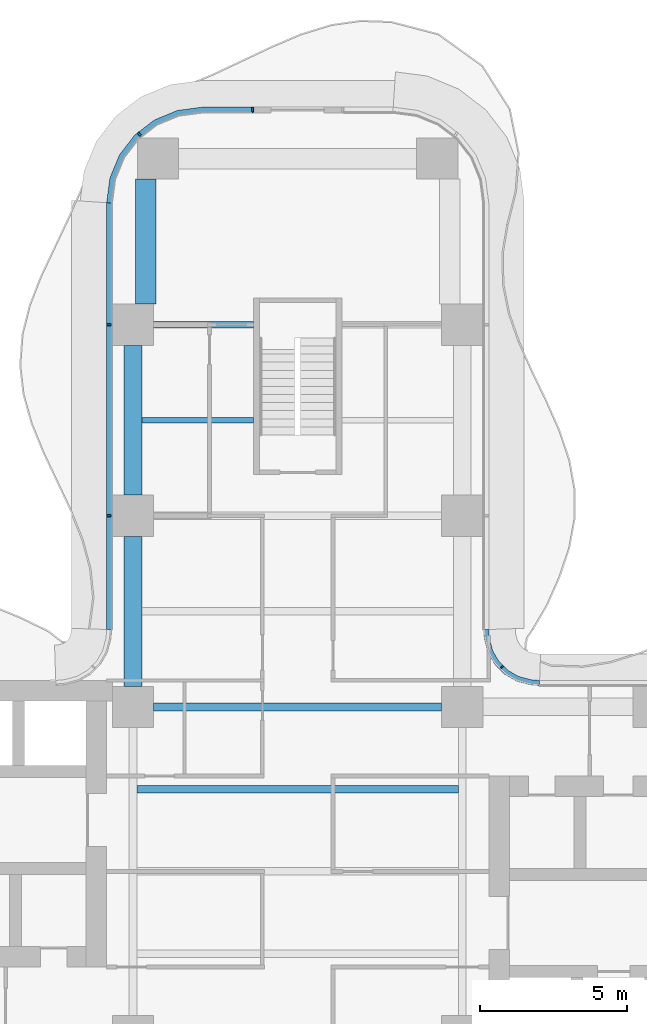
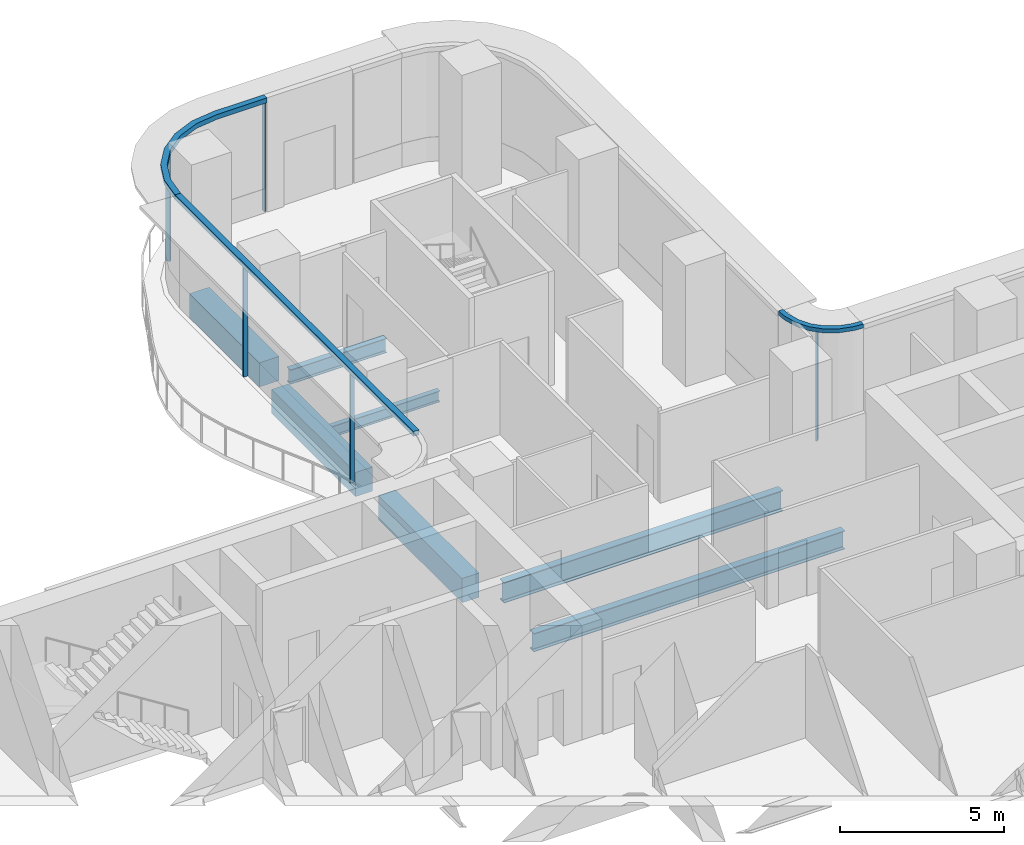
# One storey, part 9 of 22: 8 members, 7 beams, 3 elements without a shape of their own.
"""IFC4 building model written with IfcOpenShell, lengths in metres."""

from ifc_helpers import new_model, si_unit, direction, frame, origin, origin_2d, place, context, subcontext, project, spatial, polyline, rectangle, i_section, outline, extrude, source, transform, mapped, material, layer, layer_set, material_profile, profile_set, type_object, element, aggregate, save


model = new_model("IFC4")

# Units and contexts
model_context = context("Model", 3, precision=1e-05, world=origin(), true_north=direction((0.0, 1.0)))
body_context = subcontext(model_context, "Body", "Model", "MODEL_VIEW")
ifc_project = project(units=[si_unit("LENGTHUNIT", "METRE"), si_unit("AREAUNIT", "SQUARE_METRE"), si_unit("VOLUMEUNIT", "CUBIC_METRE"), si_unit("PLANEANGLEUNIT", "RADIAN"), si_unit("MASSUNIT", "GRAM", prefix="KILO")], contexts=[model_context])

# Site, building, storey
site_placement = place(None, origin())
site = spatial("IfcSite", under=ifc_project, at=site_placement, CompositionType="ELEMENT")
building_placement = place(site_placement, origin())
building = spatial("IfcBuilding", under=site, at=building_placement, Name="Trellis Farm Tower", CompositionType="ELEMENT")
storey_placement = place(building_placement, frame((0.0, 0.0, 70.0)))
storey = spatial("IfcBuildingStorey", under=building, at=storey_placement, Name="L14", CompositionType="ELEMENT", Elevation=70.0)

# Beams
ifc_material_1 = material(Name="Steel S355", Category="steel")
ifc_material_profile_1 = material_profile(ifc_material_1, i_section(OverallWidth=0.253662109375, OverallDepth=0.68359375, WebThickness=0.012451171875, FlangeThickness=0.021728515625, FilletRadius=0.01513671875, at=origin_2d()), Name="UB 686x254x140")
ifc_profile_set_1 = profile_set([ifc_material_profile_1], Name="Steel S355")
beam_type_1 = type_object("IfcBeamType", Name="UB 686x254x140 joist", PredefinedType="JOIST", material=ifc_profile_set_1)
shared_shape_1 = source(origin(), body_context, "Body", "SweptSolid", [
    extrude(i_section(OverallWidth=0.253662109375, OverallDepth=0.68359375, WebThickness=0.012451171875, FlangeThickness=0.021728515625, FilletRadius=0.01513671875, at=origin_2d()), origin(), (0.0, 0.0, 1.0), 10.93310546875),
])
beam_1_placement = place(storey_placement, frame((-5.466552734375, 2.800048828125, -0.591796875), z_axis=(1.0, 0.0, 0.0), x_axis=(0.0, 1.0, 0.0)))
element("IfcBeam", 1, at=beam_1_placement, inside=storey, type_object=beam_type_1, Name="Floor beam", PredefinedType="JOIST", context=body_context, shape_type="MappedRepresentation", body=[
    mapped(shared_shape_1, transform((0.0, 0.0, 0.0))),
])
ifc_material_profile_2 = material_profile(ifc_material_1, i_section(OverallWidth=0.209228515625, OverallDepth=0.533203125, WebThickness=0.010009765625, FlangeThickness=0.015625, FilletRadius=0.0126953125, at=origin_2d()), Name="UB 533x210x92")
ifc_profile_set_2 = profile_set([ifc_material_profile_2], Name="Steel S355")
beam_type_2 = type_object("IfcBeamType", Name="UB 533x210x92", PredefinedType="BEAM", material=ifc_profile_set_2)
shared_shape_2 = source(origin(), body_context, "Body", "SweptSolid", [
    extrude(i_section(OverallWidth=0.209228515625, OverallDepth=0.533203125, WebThickness=0.010009765625, FlangeThickness=0.015625, FilletRadius=0.0126953125, at=origin_2d()), origin(), (0.0, 0.0, 1.0), 3.39990234375),
])
beam_2_placement = place(storey_placement, frame((-4.89990234375, 18.60009765625, -0.5166015625), z_axis=(1.0, 0.0, 0.0), x_axis=(0.0, 1.0, 0.0)))
element("IfcBeam", 2, at=beam_2_placement, inside=storey, type_object=beam_type_2, Name="Girder", PredefinedType="BEAM", context=body_context, shape_type="MappedRepresentation", body=[
    mapped(shared_shape_2, transform((0.0, 0.0, 0.0))),
])
ifc_material_2 = material(Name="Concrete C60/75", Category="concrete")
ifc_material_profile_3 = material_profile(ifc_material_2, rectangle(XDim=0.60009765625, YDim=0.89990234375, at=origin_2d()), Name="RC spandrel beam 600x900 C60/75")
ifc_profile_set_3 = profile_set([ifc_material_profile_3], Name="Concrete C60/75")
beam_type_3 = type_object("IfcBeamType", Name="RC spandrel beam 600x900 C60/75", PredefinedType="SPANDREL", material=ifc_profile_set_3)
shared_shape_3 = source(origin(), body_context, "Body", "SweptSolid", [
    extrude(rectangle(XDim=0.60009765625, YDim=0.89990234375, at=origin_2d()), origin(), (0.0, 0.0, 1.0), 5.099853515625),
])
for number, where, z_axis, x_axis, name in (
    (3, (-5.60009765625, 6.300048828125, -0.699951171875), (0.0, 1.0, 0.0), (-1.0, 0.0, 0.0), "Girder"),
    (4, (-5.60009765625, 12.800048828125, -0.699951171875), (0.0, 1.0, 0.0), (-1.0, 0.0, 0.0), "Girder"),
):
    element("IfcBeam", number, at=place(storey_placement, frame(where, z_axis=z_axis, x_axis=x_axis)), inside=storey, type_object=beam_type_3, Name=name, PredefinedType="SPANDREL", context=body_context, shape_type="MappedRepresentation", body=[
        mapped(shared_shape_3, transform((0.0, 0.0, 0.0))),
    ])
ifc_material_profile_4 = material_profile(ifc_material_1, i_section(OverallWidth=0.2666015625, OverallDepth=0.76220703125, WebThickness=0.014404296875, FlangeThickness=0.021484375, FilletRadius=0.0166015625, at=origin_2d()), Name="UB 762x267x173")
ifc_profile_set_4 = profile_set([ifc_material_profile_4], Name="Steel S355")
beam_type_4 = type_object("IfcBeamType", Name="UB 762x267x173", PredefinedType="BEAM", material=ifc_profile_set_4)
shared_shape_4 = source(origin(), body_context, "Body", "SweptSolid", [
    extrude(i_section(OverallWidth=0.2666015625, OverallDepth=0.76220703125, WebThickness=0.014404296875, FlangeThickness=0.021484375, FilletRadius=0.0166015625, at=origin_2d()), origin(), (0.0, 0.0, 1.0), 9.7998046875),
])
beam_3_placement = place(storey_placement, frame((-4.89990234375, 5.60009765625, -0.631103515625), z_axis=(1.0, 0.0, 0.0), x_axis=(0.0, 1.0, 0.0)))
element("IfcBeam", 5, at=beam_3_placement, inside=storey, type_object=beam_type_4, Name="Girder", PredefinedType="BEAM", context=body_context, shape_type="MappedRepresentation", body=[
    mapped(shared_shape_4, transform((0.0, 0.0, 0.0))),
])
ifc_material_profile_5 = material_profile(ifc_material_2, rectangle(XDim=0.699951171875, YDim=0.89990234375, at=origin_2d()), Name="RC spandrel beam 700x900 C60/75")
ifc_profile_set_5 = profile_set([ifc_material_profile_5], Name="Concrete C60/75")
beam_type_5 = type_object("IfcBeamType", Name="RC spandrel beam 700x900 C60/75", PredefinedType="SPANDREL", material=ifc_profile_set_5)
shared_shape_5 = source(origin(), body_context, "Body", "SweptSolid", [
    extrude(rectangle(XDim=0.699951171875, YDim=0.89990234375, at=origin_2d()), origin(), (0.0, 0.0, 1.0), 4.25),
])
beam_4_placement = place(storey_placement, frame((-5.175048828125, 19.300048828125, -0.699951171875), z_axis=(0.0, 1.0, 0.0), x_axis=(-1.0, 0.0, 0.0)))
element("IfcBeam", 6, at=beam_4_placement, inside=storey, type_object=beam_type_5, Name="Girder", PredefinedType="SPANDREL", context=body_context, shape_type="MappedRepresentation", body=[
    mapped(shared_shape_5, transform((0.0, 0.0, 0.0))),
])
ifc_material_profile_6 = material_profile(ifc_material_1, i_section(OverallWidth=0.177978515625, OverallDepth=0.406494140625, WebThickness=0.0078125, FlangeThickness=0.0126953125, FilletRadius=0.01025390625, at=origin_2d()), Name="UB 406x178x60")
ifc_profile_set_6 = profile_set([ifc_material_profile_6], Name="Steel S355")
beam_type_6 = type_object("IfcBeamType", Name="UB 406x178x60 joist", PredefinedType="JOIST", material=ifc_profile_set_6)
shared_shape_6 = source(origin(), body_context, "Body", "SweptSolid", [
    extrude(i_section(OverallWidth=0.177978515625, OverallDepth=0.406494140625, WebThickness=0.0078125, FlangeThickness=0.0126953125, FilletRadius=0.01025390625, at=origin_2d()), origin(), (0.0, 0.0, 1.0), 3.800048828125),
])
beam_5_placement = place(storey_placement, frame((-5.300048828125, 15.35009765625, -0.453125), z_axis=(1.0, 0.0, 0.0), x_axis=(0.0, 1.0, 0.0)))
element("IfcBeam", 7, at=beam_5_placement, inside=storey, type_object=beam_type_6, Name="Floor beam", PredefinedType="JOIST", context=body_context, shape_type="MappedRepresentation", body=[
    mapped(shared_shape_6, transform((0.0, 0.0, 0.0))),
])

# Curtain wall, members
ifc_material_3 = material(Name="Aluminium and glass curtain wall", Category="aluminium")
ifc_layer_1 = layer(ifc_material_3, 0.18994140625)
ifc_layer_set_1 = layer_set([ifc_layer_1], Name="RIBBON CURTAIN WALL CW1")
curtain_wall_type_1 = type_object("IfcCurtainWallType", Name="RIBBON CURTAIN WALL CW1", PredefinedType="NOTDEFINED", material=ifc_layer_set_1)
placement_1 = place(storey_placement, origin())
curtain_wall_1 = element("IfcCurtainWall", 8, at=placement_1, inside=storey, type_object=curtain_wall_type_1, Name="CW1 011", PredefinedType="NOTDEFINED")
ifc_material_4 = material(Name="Aluminium extrusion 6063-T6", Category="aluminium")
ifc_material_profile_7 = material_profile(ifc_material_4, rectangle(XDim=0.06005859375, YDim=0.14990234375, at=origin_2d()), Name="MULLION 60x150")
ifc_profile_set_7 = profile_set([ifc_material_profile_7], Name="Aluminium extrusion 6063-T6")
member_type_1 = type_object("IfcMemberType", Name="CW1 MULLION 60x150", PredefinedType="MULLION", material=ifc_profile_set_7)
shared_shape_7 = source(origin(), body_context, "Body", "SweptSolid", [
    extrude(rectangle(XDim=0.06005859375, YDim=0.14990234375, at=origin_2d()), origin(), (0.0, 0.0, 1.0), 4.070068359375),
])
member_1_placement = place(storey_placement, frame((-1.530029296875, 25.925048828125, 0.0), z_axis=(0.0, 0.0, 1.0), x_axis=(-1.0, 0.0, 0.0)))
member_1 = element("IfcMember", 9, at=member_1_placement, type_object=member_type_1, Name="MU1 011-01", PredefinedType="MULLION", context=body_context, shape_type="MappedRepresentation", body=[
    mapped(shared_shape_7, transform((0.0, 0.0, 0.0))),
])
member_2_placement = place(storey_placement, frame((-5.385498046875, 25.078369140625, 0.0), z_axis=(0.0, 0.0, 1.0), x_axis=(-0.793353340291, -0.608761429009, 0.0)))
member_2 = element("IfcMember", 10, at=member_2_placement, type_object=member_type_1, Name="MU1 011-02", PredefinedType="MULLION", context=body_context, shape_type="MappedRepresentation", body=[
    mapped(shared_shape_7, transform((0.0, 0.0, 0.0))),
])

curtain_wall_2 = element("IfcCurtainWall", 11, at=placement_1, inside=storey, type_object=curtain_wall_type_1, Name="CW1 012", PredefinedType="NOTDEFINED")
member_3_placement = place(storey_placement, frame((-6.425048828125, 18.60009765625, 0.0), z_axis=(0.0, 0.0, 1.0), x_axis=(0.0, -1.0, 0.0)))
member_3 = element("IfcMember", 12, at=member_3_placement, type_object=member_type_1, Name="MU1 012-01", PredefinedType="MULLION", context=body_context, shape_type="MappedRepresentation", body=[
    mapped(shared_shape_7, transform((0.0, 0.0, 0.0))),
])
member_4_placement = place(storey_placement, frame((-6.425048828125, 12.10009765625, 0.0), z_axis=(0.0, 0.0, 1.0), x_axis=(0.0, -1.0, 0.0)))
member_4 = element("IfcMember", 13, at=member_4_placement, type_object=member_type_1, Name="MU1 012-02", PredefinedType="MULLION", context=body_context, shape_type="MappedRepresentation", body=[
    mapped(shared_shape_7, transform((0.0, 0.0, 0.0))),
])

ifc_layer_2 = layer(ifc_material_3, 0.166015625)
ifc_layer_set_2 = layer_set([ifc_layer_2], Name="WINTER GARDEN CURTAIN WALL CW3")
curtain_wall_type_2 = type_object("IfcCurtainWallType", Name="WINTER GARDEN CURTAIN WALL CW3", PredefinedType="NOTDEFINED", material=ifc_layer_set_2)
curtain_wall_3 = element("IfcCurtainWall", 14, at=placement_1, inside=storey, type_object=curtain_wall_type_2, Name="CW3 003", PredefinedType="NOTDEFINED")
ifc_material_profile_8 = material_profile(ifc_material_4, rectangle(XDim=0.050048828125, YDim=0.1201171875, at=origin_2d()), Name="MULLION 50x120")
ifc_profile_set_8 = profile_set([ifc_material_profile_8], Name="Aluminium extrusion 6063-T6")
member_type_2 = type_object("IfcMemberType", Name="CW3 MULLION 50x120", PredefinedType="MULLION", material=ifc_profile_set_8)
shared_shape_8 = source(origin(), body_context, "Body", "SweptSolid", [
    extrude(rectangle(XDim=0.050048828125, YDim=0.1201171875, at=origin_2d()), origin(), (0.0, 0.0, 1.0), 4.10009765625),
])
member_5_placement = place(storey_placement, frame((6.953125, 6.953125, 0.0), z_axis=(0.0, 0.0, 1.0), x_axis=(-0.707106781187, 0.707106781187, 0.0)))
member_5 = element("IfcMember", 15, at=member_5_placement, type_object=member_type_2, Name="MU3 003-01", PredefinedType="MULLION", context=body_context, shape_type="MappedRepresentation", body=[
    mapped(shared_shape_8, transform((0.0, 0.0, 0.0))),
])
ifc_layer_3 = layer(ifc_material_4, 0.169921875)
ifc_layer_set_3 = layer_set([ifc_layer_3], Name="Aluminium extrusion 6063-T6")
member_type_3 = type_object("IfcMemberType", Name="CW3 TRANSOM 170x150", PredefinedType="USERDEFINED", material=ifc_layer_set_3)
shared_shape_9 = source(origin(), body_context, "Body", "SweptSolid", [
    extrude(outline(polyline([(8.2314453125, 6.5), (8.01953125, 6.513916015625), (7.91552734375, 6.527587890625), (7.508544921875, 6.63671875), (7.144287109375, 6.846923828125), (6.846923828125, 7.144287109375), (6.63671875, 7.508544921875), (6.527587890625, 7.91552734375), (6.513916015625, 8.01953125), (6.5, 8.2314453125), (6.330078125, 8.225830078125), (6.3447265625, 8.0029296875), (6.360595703125, 7.88232421875), (6.478271484375, 7.44287109375), (6.7109375, 7.0400390625), (7.0400390625, 6.7109375), (7.44287109375, 6.478271484375), (7.88232421875, 6.360595703125), (8.0029296875, 6.3447265625), (8.225830078125, 6.330078125), (8.2314453125, 6.5)])), origin(), (0.0, 0.0, 1.0), 0.14990234375),
])
member_6_placement = place(storey_placement, frame((0.0, 0.0, 4.10009765625)))
member_6 = element("IfcMember", 16, at=member_6_placement, type_object=member_type_3, Name="TR3 003", ObjectType="TRANSOM", PredefinedType="USERDEFINED", context=body_context, shape_type="MappedRepresentation", body=[
    mapped(shared_shape_9, transform((0.0, 0.0, 0.0))),
])
aggregate(curtain_wall_3, [member_5, member_6])

# Member
ifc_layer_4 = layer(ifc_material_4, 0.199951171875)
ifc_layer_set_4 = layer_set([ifc_layer_4], Name="Aluminium extrusion 6063-T6")
member_type_4 = type_object("IfcMemberType", Name="CW1 TRANSOM 200x180", PredefinedType="USERDEFINED", material=ifc_layer_set_4)
shared_shape_10 = source(origin(), body_context, "Body", "SweptSolid", [
    extrude(outline(polyline([(-6.5, 22.75), (-6.5, 8.2314453125), (-6.300048828125, 8.224853515625), (-6.300048828125, 22.73681640625), (-6.5, 22.75)])), origin(), (0.0, 0.0, 1.0), 0.179931640625),
])
placement_2 = place(storey_placement, frame((0.0, 0.0, 4.070068359375)))
member_7 = element("IfcMember", 17, at=placement_2, type_object=member_type_4, Name="TR1 012", ObjectType="TRANSOM", PredefinedType="USERDEFINED", context=body_context, shape_type="MappedRepresentation", body=[
    mapped(shared_shape_10, transform((0.0, 0.0, 0.0))),
])

aggregate(curtain_wall_2, [member_3, member_4, member_7])

shared_shape_11 = source(origin(), body_context, "Body", "SweptSolid", [
    extrude(outline(polyline([(-1.5, 26.0), (-3.25, 26.0), (-4.091064453125, 25.88916015625), (-4.875, 25.564697265625), (-5.548095703125, 25.048095703125), (-6.064697265625, 24.375), (-6.38916015625, 23.591064453125), (-6.5, 22.75), (-6.300048828125, 22.73681640625), (-6.1943359375, 23.5390625), (-5.889892578125, 24.274169921875), (-5.405517578125, 24.905517578125), (-4.774169921875, 25.389892578125), (-4.0390625, 25.6943359375), (-3.23681640625, 25.800048828125), (-1.5, 25.800048828125), (-1.5, 26.0)])), origin(), (0.0, 0.0, 1.0), 0.179931640625),
])
member_8 = element("IfcMember", 18, at=placement_2, type_object=member_type_4, Name="TR1 011", ObjectType="TRANSOM", PredefinedType="USERDEFINED", context=body_context, shape_type="MappedRepresentation", body=[
    mapped(shared_shape_11, transform((0.0, 0.0, 0.0))),
])

aggregate(curtain_wall_1, [member_1, member_2, member_8])

save(model, "model.ifc")
